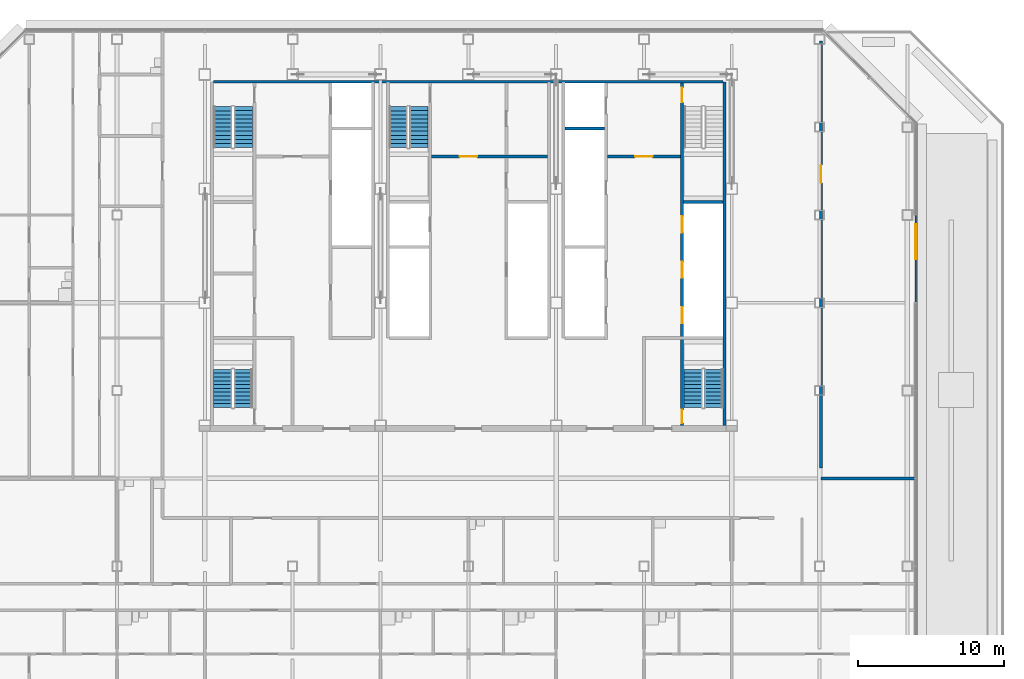
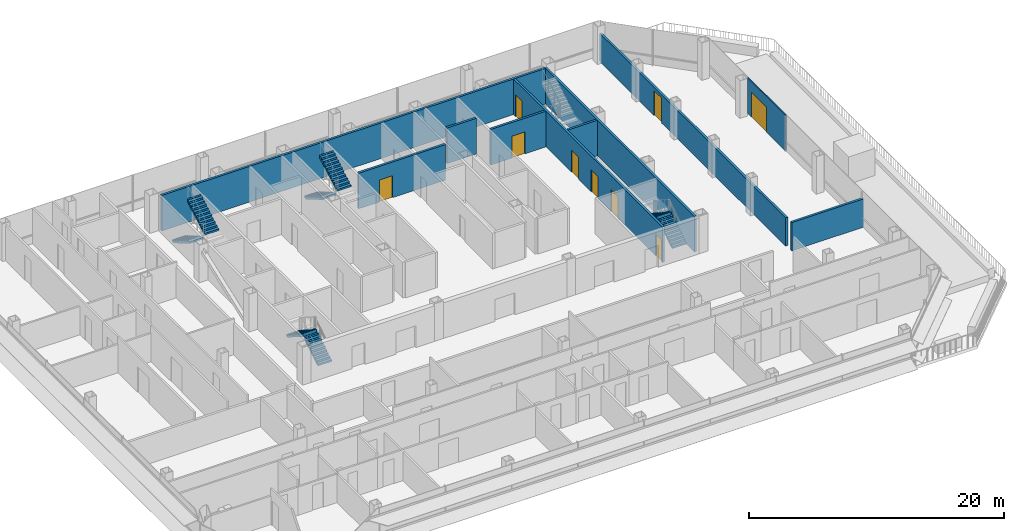
# One storey, part 21 of 27: 10 walls, 9 doors, 8 stair flights, 9 openings, 4 elements without a shape of their own.
"""IFC4 building model written with IfcOpenShell, lengths in metres."""

import ifcopenshell
import ifcopenshell.guid

model = None  # the IFC model being written
_history = None  # IfcOwnerHistory: only IFC2X3 demands one
_inside = {}  # id of a spatial element -> (the spatial element, [elements in it])
_under = {}  # id of a project, library or spatial element -> (it, [spatial elements below it])
_declared = {}  # id of a project -> (the project, [libraries it declares])
_typed = {}  # id of a type object -> (the type object, [elements of that type])
_made_of = {}  # id of a material, layer set ... -> (it, [elements and type objects made of it])


def new_model(schema):
    """Start an empty IFC model of exactly this schema.

    Asked for "IFC4X3", IfcOpenShell would pick the latest addendum, in which some entities
    have other attributes; the version numbers below select the first issue.
    IFC2X3 requires an IfcOwnerHistory on every rooted entity: one is made here for all.
    """
    global model, _history
    if schema == "IFC4X3":
        model = ifcopenshell.file(schema_version=(4, 3, 0, 0))
    else:
        model = ifcopenshell.file(schema=schema)
    _inside.clear()
    _under.clear()
    _declared.clear()
    _typed.clear()
    _made_of.clear()
    _history = None
    if model.schema == "IFC2X3":
        org = make("IfcOrganization", Name="unknown")
        user = make(
            "IfcPersonAndOrganization",
            ThePerson=make("IfcPerson", FamilyName="unknown"),
            TheOrganization=org,
        )
        app = make(
            "IfcApplication",
            ApplicationDeveloper=org,
            Version="unknown",
            ApplicationFullName="unknown",
            ApplicationIdentifier="unknown",
        )
        _history = make(
            "IfcOwnerHistory",
            OwningUser=user,
            OwningApplication=app,
            ChangeAction="ADDED",
            CreationDate=0,
        )
    return model


def make(cls, **values):
    """One entity of the class cls with the attributes given. An attribute that is None is left unset."""
    return model.create_entity(
        cls, **{name: value for name, value in values.items() if value is not None}
    )


def rooted(cls, **values):
    """An entity with a GlobalId (a new one), such as an element, a storey or a relation."""
    return make(cls, GlobalId=ifcopenshell.guid.new(), OwnerHistory=_history, **values)


def si_unit(unit_type, name, prefix=None):
    """IfcSIUnit, for example si_unit("LENGTHUNIT", "METRE", prefix="MILLI")."""
    return make("IfcSIUnit", UnitType=unit_type, Prefix=prefix, Name=name)


def assignment(units):
    """IfcUnitAssignment: the units of a project."""
    return None if units is None else make("IfcUnitAssignment", Units=units)


def point(xyz):
    """IfcCartesianPoint."""
    return None if xyz is None else make("IfcCartesianPoint", Coordinates=xyz)


def direction(xyz):
    """IfcDirection."""
    return None if xyz is None else make("IfcDirection", DirectionRatios=xyz)


def frame(location, z_axis=None, x_axis=None):
    """IfcAxis2Placement3D, a coordinate frame: its origin and axes. An axis left out is left unset."""
    return make(
        "IfcAxis2Placement3D",
        Location=point(location),
        Axis=direction(z_axis),
        RefDirection=direction(x_axis),
    )


def frame_2d(location, x_axis=None):
    """IfcAxis2Placement2D, a coordinate frame in the plane: its origin and x axis."""
    return make(
        "IfcAxis2Placement2D", Location=point(location), RefDirection=direction(x_axis)
    )


def origin():
    """The frame at (0, 0, 0) with its axes left unset."""
    return frame((0.0, 0.0, 0.0))


def place(relative_to, where):
    """IfcLocalPlacement: puts the frame where relative to a parent placement (None: the world)."""
    return make(
        "IfcLocalPlacement", PlacementRelTo=relative_to, RelativePlacement=where
    )


def context(
    kind, dimensions, precision=None, world=None, true_north=None, identifier=None
):
    """IfcGeometricRepresentationContext, for example the 3D "Model" context."""
    return make(
        "IfcGeometricRepresentationContext",
        ContextIdentifier=identifier,
        ContextType=kind,
        CoordinateSpaceDimension=dimensions,
        Precision=precision,
        WorldCoordinateSystem=world,
        TrueNorth=true_north,
    )


def subcontext(parent, identifier, kind, view, scale=None):
    """IfcGeometricRepresentationSubContext, for example "Body" below "Model"."""
    return make(
        "IfcGeometricRepresentationSubContext",
        ContextIdentifier=identifier,
        ContextType=kind,
        ParentContext=parent,
        TargetScale=scale,
        TargetView=view,
    )


def project(units=None, contexts=None):
    """IfcProject with its units and contexts."""
    return rooted(
        "IfcProject",
        Name="project",
        RepresentationContexts=contexts,
        UnitsInContext=assignment(units),
    )


def spatial(cls, under=None, at=None, **own):
    """A site, building, storey or space (cls), placed at a placement, below another one or the project."""
    s = rooted(cls, ObjectPlacement=at, **own)
    if under is not None:
        _under.setdefault(under.id(), (under, []))[1].append(s)
    return s


def polyline(points):
    """IfcPolyline through the points."""
    return make("IfcPolyline", Points=[point(p) for p in points])


def profile(cls, at=None, kind="AREA", **sizes):
    """A parametric profile (cls). Its sizes go by their IFC names, for example OverallWidth=200.0."""
    return make(cls, ProfileType=kind, Position=at, **sizes)


def rectangle(**sizes):
    """IfcRectangleProfileDef."""
    return profile("IfcRectangleProfileDef", **sizes)


def outline(outer, holes=None, kind="AREA"):
    """IfcArbitraryClosedProfileDef: a profile drawn as a closed curve; with holes, ...WithVoids."""
    if holes is None:
        return make("IfcArbitraryClosedProfileDef", ProfileType=kind, OuterCurve=outer)
    return make(
        "IfcArbitraryProfileDefWithVoids",
        ProfileType=kind,
        OuterCurve=outer,
        InnerCurves=holes,
    )


def extrude(swept, where, along, depth):
    """IfcExtrudedAreaSolid: the profile swept, set in the frame where, extruded along a direction by depth."""
    return make(
        "IfcExtrudedAreaSolid",
        SweptArea=swept,
        Position=where,
        ExtrudedDirection=direction(along),
        Depth=depth,
    )


def shape(context_of_items, identifier, shape_type, items):
    """IfcShapeRepresentation: the items that make up one representation, for example the "Body"."""
    return make(
        "IfcShapeRepresentation",
        ContextOfItems=context_of_items,
        RepresentationIdentifier=identifier,
        RepresentationType=shape_type,
        Items=items,
    )


def material(Name=None, Category=None):
    """IfcMaterial."""
    return make("IfcMaterial", Name=Name, Category=Category)


def layer(
    of_material, thickness, ventilated=None, Name=None, Category=None, Priority=None
):
    """IfcMaterialLayer: one layer of a wall or slab, of a material (None: an air gap)."""
    return make(
        "IfcMaterialLayer",
        Material=of_material,
        LayerThickness=thickness,
        IsVentilated=ventilated,
        Name=Name,
        Category=Category,
        Priority=Priority,
    )


def layer_set(layers, Name=None):
    """IfcMaterialLayerSet."""
    return make("IfcMaterialLayerSet", MaterialLayers=layers, LayerSetName=Name)


def made_of(thing, what):
    """Note that an element or type object is made of a material, layer set ...; save() writes the relation."""
    if what is not None:
        _made_of.setdefault(what.id(), (what, []))[1].append(thing)
    return thing


def type_object(cls, material=None, **own):
    """A type object (cls), such as IfcWallType, which elements share."""
    return made_of(rooted(cls, **own), material)


def element(
    cls,
    number,
    at=None,
    inside=None,
    cuts=None,
    type_object=None,
    material=None,
    context=None,
    identifier="Body",
    shape_type=None,
    held_by="IfcProductDefinitionShape",
    body=None,
    shapes=None,
    **own,
):
    """One element of the class cls, such as IfcWall. Its Tag is "e" and its number.

    at: its placement. inside: the storey or other place that contains it. cuts: it is an
    opening in that element (IfcRelVoidsElement). A single representation is given by context,
    identifier, shape_type and body (its items); several are given by shapes. held_by: the class
    of the entity that holds the representations. save() writes the other relations.
    """
    e = rooted(cls, Tag="e%d" % number, ObjectPlacement=at, **own)
    if body is not None:
        shapes = [shape(context, identifier, shape_type, body)]
    if shapes is not None:
        e.Representation = make(held_by, Representations=shapes)
    if inside is not None:
        _inside.setdefault(inside.id(), (inside, []))[1].append(e)
    if cuts is not None:
        rooted(
            "IfcRelVoidsElement", RelatingBuildingElement=cuts, RelatedOpeningElement=e
        )
    if type_object is not None:
        _typed.setdefault(type_object.id(), (type_object, []))[1].append(e)
    return made_of(e, material)


def fill(opening, filler):
    """IfcRelFillsElement: the door or window that sits in an opening."""
    return rooted(
        "IfcRelFillsElement",
        RelatingOpeningElement=opening,
        RelatedBuildingElement=filler,
    )


def aggregate(whole, parts):
    """IfcRelAggregates: a whole, such as a stair, and the parts it consists of."""
    return rooted("IfcRelAggregates", RelatingObject=whole, RelatedObjects=parts)


def save(model, path):
    """Write the relations noted so far, then the file.

    IfcRelAggregates (storeys below a building ...), IfcRelContainedInSpatialStructure (elements
    in a storey), IfcRelDefinesByType, IfcRelAssociatesMaterial and IfcRelDeclares: one each for
    every whole, place, type object, material and project.
    """
    for whole, parts in _under.values():
        aggregate(whole, parts)
    for where, things in _inside.values():
        rooted(
            "IfcRelContainedInSpatialStructure",
            RelatedElements=things,
            RelatingStructure=where,
        )
    for kind, things in _typed.values():
        rooted("IfcRelDefinesByType", RelatedObjects=things, RelatingType=kind)
    for what, things in _made_of.values():
        rooted("IfcRelAssociatesMaterial", RelatedObjects=things, RelatingMaterial=what)
    for by, libraries in _declared.values():
        rooted("IfcRelDeclares", RelatingContext=by, RelatedDefinitions=libraries)
    model.write(path)


model = new_model("IFC4")

# Units and contexts
model_context = context("Model", 3, precision=1e-05, world=origin(), true_north=direction((0.0, 1.0)))
body_context = subcontext(model_context, "Body", "Model", "MODEL_VIEW")
ifc_project = project(units=[si_unit("LENGTHUNIT", "METRE"), si_unit("AREAUNIT", "SQUARE_METRE"), si_unit("VOLUMEUNIT", "CUBIC_METRE"), si_unit("PLANEANGLEUNIT", "RADIAN"), si_unit("MASSUNIT", "GRAM", prefix="KILO")], contexts=[model_context])

# Site, building, storey
site_placement = place(None, origin())
site = spatial("IfcSite", under=ifc_project, at=site_placement, CompositionType="ELEMENT")
building_placement = place(site_placement, origin())
building = spatial("IfcBuilding", under=site, at=building_placement, Name="Sorahane Residences", CompositionType="ELEMENT")
storey_placement = place(building_placement, frame((0.0, 0.0, 192.0)))
storey = spatial("IfcBuildingStorey", under=building, at=storey_placement, Name="L44", CompositionType="ELEMENT", Elevation=192.0)

# Walls
ifc_material_1 = material(Name="Concrete C30", Category="concrete")
ifc_layer_1 = layer(ifc_material_1, 0.199951171875)
ifc_layer_set_1 = layer_set([ifc_layer_1], Name="Core face wall 200 EI 180")
wall_type_1 = type_object("IfcWallType", Name="Core face wall 200 EI 180", PredefinedType="SOLIDWALL", material=ifc_layer_set_1)
wall_1_placement = place(storey_placement, frame((41.5, 21.60009765625, 0.0), z_axis=(0.0, 0.0, 1.0), x_axis=(0.0, 1.0, 0.0)))
element("IfcWall", 1, at=wall_1_placement, inside=storey, type_object=wall_type_1, Name="L44 core face wall", PredefinedType="SOLIDWALL", context=body_context, shape_type="SweptSolid", body=[
    extrude(rectangle(XDim=23.5, YDim=0.199951171875, at=frame_2d((11.75, 0.0))), origin(), (0.0, 0.0, 1.0), 3.419921875),
])
wall_2_placement = place(storey_placement, frame((6.60009765625, 45.10009765625, 0.0), z_axis=(0.0, 0.0, 1.0), x_axis=(1.0, 0.0, 0.0)))
element("IfcWall", 2, at=wall_2_placement, inside=storey, type_object=wall_type_1, Name="L44 core face wall", PredefinedType="SOLIDWALL", context=body_context, shape_type="SweptSolid", body=[
    extrude(rectangle(XDim=34.7998046875, YDim=0.199951171875, at=frame_2d((17.39990234375, 0.0))), origin(), (0.0, 0.0, 1.0), 3.419921875),
])

# Wall, opening, door
ifc_material_2 = material(Name="Concrete blockwork C20 wall", Category="masonry")
ifc_layer_2 = layer(ifc_material_2, 0.199951171875)
ifc_layer_set_2 = layer_set([ifc_layer_2], Name="Corridor wall 200 EI 120")
wall_type_2 = type_object("IfcWallType", Name="Corridor wall 200 EI 120", PredefinedType="SOLIDWALL", material=ifc_layer_set_2)
wall_3_placement = place(storey_placement, frame((48.10009765625, 18.699951171875, 0.0), z_axis=(0.0, 0.0, 1.0), x_axis=(0.0, 1.0, 0.0)))
wall_3 = element("IfcWall", 3, at=wall_3_placement, inside=storey, type_object=wall_type_2, Name="L44 corridor wall", PredefinedType="SOLIDWALL", context=body_context, shape_type="SweptSolid", body=[
    extrude(rectangle(XDim=29.199951171875, YDim=0.199951171875, at=frame_2d((14.60009765625, 0.0))), origin(), (0.0, 0.0, 1.0), 2.719970703125),
])
opening_1_placement = place(wall_3_placement, frame((19.5, 0.0, 0.0)))
opening_1 = element("IfcOpeningElement", 4, at=opening_1_placement, cuts=wall_3, Name="Opening L44-47", PredefinedType="OPENING", context=body_context, shape_type="SweptSolid", body=[
    extrude(rectangle(XDim=1.199951171875, YDim=2.39990234375, at=frame_2d((0.60009765625, 1.199951171875))), frame((0.0, 0.10986328125, 0.0), z_axis=(0.0, -1.0, 0.0), x_axis=(1.0, 0.0, 0.0)), (0.0, 0.0, 1.0), 0.219970703125),
])
ifc_material_3 = material(Name="Steel", Category="steel")
door_type_1 = type_object("IfcDoorType", Name="Lobby door 1200x2400 FD60", OperationType="NOTDEFINED", PredefinedType="DOOR", material=ifc_material_3)
door_1_placement = place(opening_1_placement, frame((1.199951171875, 0.0, 0.0), z_axis=(0.0, 0.0, 1.0), x_axis=(-1.0, 0.0, 0.0)))
door_1 = element("IfcDoor", 5, at=door_1_placement, inside=storey, type_object=door_type_1, Name="Lobby door L44-47", OperationType="SINGLE_SWING_RIGHT", OverallHeight=2.39990234375, OverallWidth=1.199951171875, PredefinedType="DOOR", context=body_context, shape_type="SweptSolid", body=[
    extrude(rectangle(XDim=1.199951171875, YDim=2.39990234375, at=frame_2d((0.60009765625, 1.199951171875))), frame((0.0, 0.02490234375, 0.0), z_axis=(0.0, -1.0, 0.0), x_axis=(1.0, 0.0, 0.0)), (0.0, 0.0, 1.0), 0.050048828125),
])
fill(opening_1, door_1)

# Wall
wall_4_placement = place(storey_placement, frame((48.10009765625, 18.0, 0.0), z_axis=(0.0, 0.0, 1.0), x_axis=(1.0, 0.0, 0.0)))
element("IfcWall", 6, at=wall_4_placement, inside=storey, type_object=wall_type_2, Name="L44 corridor wall", PredefinedType="SOLIDWALL", context=body_context, shape_type="SweptSolid", body=[
    extrude(rectangle(XDim=6.5, YDim=0.199951171875, at=frame_2d((3.25, 0.0))), origin(), (0.0, 0.0, 1.0), 2.719970703125),
])

# Wall, opening, door
ifc_material_4 = material(Name="Concrete C30", Category="concrete")
ifc_layer_3 = layer(ifc_material_4, 0.199951171875)
ifc_layer_set_3 = layer_set([ifc_layer_3], Name="Front room wall 200 EI 120")
wall_type_3 = type_object("IfcWallType", Name="Front room wall 200 EI 120", PredefinedType="PARTITIONING", material=ifc_layer_set_3)
wall_5_placement = place(storey_placement, frame((21.5, 40.0, 0.0), z_axis=(0.0, 0.0, 1.0), x_axis=(1.0, 0.0, 0.0)))
wall_5 = element("IfcWall", 7, at=wall_5_placement, inside=storey, type_object=wall_type_3, Name="L44 front room wall", PredefinedType="PARTITIONING", context=body_context, shape_type="SweptSolid", body=[
    extrude(rectangle(XDim=7.89990234375, YDim=0.199951171875, at=frame_2d((3.949951171875, 0.0))), origin(), (0.0, 0.0, 1.0), 3.419921875),
])
opening_2_placement = place(wall_5_placement, frame((1.89990234375, 0.0, 0.0)))
opening_2 = element("IfcOpeningElement", 8, at=opening_2_placement, cuts=wall_5, Name="Opening L44-C07", PredefinedType="OPENING", context=body_context, shape_type="SweptSolid", body=[
    extrude(rectangle(XDim=1.199951171875, YDim=2.10009765625, at=frame_2d((0.60009765625, 1.050048828125))), frame((0.0, 0.10986328125, 0.0), z_axis=(0.0, -1.0, 0.0), x_axis=(1.0, 0.0, 0.0)), (0.0, 0.0, 1.0), 0.219970703125),
])
ifc_material_5 = material(Name="Steel", Category="steel")
door_type_2 = type_object("IfcDoorType", Name="Front room door 1200x2100 FD120", OperationType="NOTDEFINED", PredefinedType="DOOR", material=ifc_material_5)
door_2_placement = place(opening_2_placement, frame((1.199951171875, 0.0, 0.0), z_axis=(0.0, 0.0, 1.0), x_axis=(-1.0, 0.0, 0.0)))
door_2 = element("IfcDoor", 9, at=door_2_placement, inside=storey, type_object=door_type_2, Name="Front room door Stair S3 vestibule L44", OperationType="DOUBLE_DOOR_SINGLE_SWING", OverallHeight=2.10009765625, OverallWidth=1.199951171875, PredefinedType="DOOR", context=body_context, shape_type="SweptSolid", body=[
    extrude(rectangle(XDim=1.199951171875, YDim=2.10009765625, at=frame_2d((0.60009765625, 1.050048828125))), frame((0.0, 0.02490234375, 0.0), z_axis=(0.0, -1.0, 0.0), x_axis=(1.0, 0.0, 0.0)), (0.0, 0.0, 1.0), 0.050048828125),
])
fill(opening_2, door_2)

wall_6_placement = place(storey_placement, frame((33.5, 40.0, 0.0), z_axis=(0.0, 0.0, 1.0), x_axis=(1.0, 0.0, 0.0)))
wall_6 = element("IfcWall", 10, at=wall_6_placement, inside=storey, type_object=wall_type_3, Name="L44 front room wall", PredefinedType="PARTITIONING", context=body_context, shape_type="SweptSolid", body=[
    extrude(rectangle(XDim=5.0, YDim=0.199951171875, at=frame_2d((2.5, 0.0))), origin(), (0.0, 0.0, 1.0), 3.419921875),
])
opening_3_placement = place(wall_6_placement, frame((1.89990234375, 0.0, 0.0)))
opening_3 = element("IfcOpeningElement", 11, at=opening_3_placement, cuts=wall_6, Name="Opening L44-C08", PredefinedType="OPENING", context=body_context, shape_type="SweptSolid", body=[
    extrude(rectangle(XDim=1.199951171875, YDim=2.10009765625, at=frame_2d((0.60009765625, 1.050048828125))), frame((0.0, 0.10986328125, 0.0), z_axis=(0.0, -1.0, 0.0), x_axis=(1.0, 0.0, 0.0)), (0.0, 0.0, 1.0), 0.219970703125),
])
door_3_placement = place(opening_3_placement, frame((1.199951171875, 0.0, 0.0), z_axis=(0.0, 0.0, 1.0), x_axis=(-1.0, 0.0, 0.0)))
door_3 = element("IfcDoor", 12, at=door_3_placement, inside=storey, type_object=door_type_2, Name="Front room door Firefighting lobby FF2 front room L44", OperationType="DOUBLE_DOOR_SINGLE_SWING", OverallHeight=2.10009765625, OverallWidth=1.199951171875, PredefinedType="DOOR", context=body_context, shape_type="SweptSolid", body=[
    extrude(rectangle(XDim=1.199951171875, YDim=2.10009765625, at=frame_2d((0.60009765625, 1.050048828125))), frame((0.0, 0.02490234375, 0.0), z_axis=(0.0, -1.0, 0.0), x_axis=(1.0, 0.0, 0.0)), (0.0, 0.0, 1.0), 0.050048828125),
])
fill(opening_3, door_3)

ifc_material_6 = material(Name="Toughened low-iron glass", Category="glass")
ifc_layer_4 = layer(ifc_material_6, 0.10009765625)
ifc_layer_set_4 = layer_set([ifc_layer_4], Name="Glazed door screen toughened low-iron glass 100")
wall_type_4 = type_object("IfcWallType", Name="Glazed door screen toughened low-iron glass 100", PredefinedType="SOLIDWALL", material=ifc_layer_set_4)
wall_7_placement = place(storey_placement, frame((54.570068359375, 30.02490234375, 0.0), z_axis=(0.0, 0.0, 1.0), x_axis=(0.0, 1.0, 0.0)))
wall_7 = element("IfcWall", 13, at=wall_7_placement, inside=storey, type_object=wall_type_4, Name="Glazed door screen L44 E1.5", PredefinedType="SOLIDWALL", context=body_context, shape_type="SweptSolid", body=[
    extrude(rectangle(XDim=5.9501953125, YDim=0.10009765625, at=frame_2d((2.97509765625, 0.0))), origin(), (0.0, 0.0, 1.0), 3.419921875),
])
opening_4_placement = place(wall_7_placement, frame((2.951416015625, 0.0, 0.0)))
opening_4 = element("IfcOpeningElement", 14, at=opening_4_placement, cuts=wall_7, Name="Opening L44-F01", PredefinedType="OPENING", context=body_context, shape_type="SweptSolid", body=[
    extrude(rectangle(XDim=2.39990234375, YDim=2.39990234375, at=frame_2d((1.199951171875, 1.199951171875))), frame((0.0, 0.06005859375, 0.0), z_axis=(0.0, -1.0, 0.0), x_axis=(1.0, 0.0, 0.0)), (0.0, 0.0, 1.0), 0.1201171875),
])
ifc_material_7 = material(Name="Black anodised aluminium and low-iron glass", Category="aluminium")
door_type_3 = type_object("IfcDoorType", Name="Glazed terrace door black aluminium 2400x2400", OperationType="DOUBLE_DOOR_SINGLE_SWING", PredefinedType="DOOR", material=ifc_material_7)
door_4_placement = place(opening_4_placement, origin())
door_4 = element("IfcDoor", 15, at=door_4_placement, inside=storey, type_object=door_type_3, Name="Terrace door L44-F01", OperationType="DOUBLE_DOOR_SINGLE_SWING", OverallHeight=2.39990234375, OverallWidth=2.39990234375, PredefinedType="DOOR", context=body_context, shape_type="SweptSolid", body=[
    extrude(rectangle(XDim=2.39990234375, YDim=2.39990234375, at=frame_2d((1.199951171875, 1.199951171875))), frame((0.0, 0.02490234375, 0.0), z_axis=(0.0, -1.0, 0.0), x_axis=(1.0, 0.0, 0.0)), (0.0, 0.0, 1.0), 0.050048828125),
])
fill(opening_4, door_4)

# Wall
ifc_material_8 = material(Name="Concrete C30", Category="concrete")
ifc_layer_5 = layer(ifc_material_8, 0.199951171875)
ifc_layer_set_5 = layer_set([ifc_layer_5], Name="Lift shaft wall 200 EI 120")
wall_type_5 = type_object("IfcWallType", Name="Lift shaft wall 200 EI 120", PredefinedType="SOLIDWALL", material=ifc_layer_set_5)
wall_8_placement = place(storey_placement, frame((30.60009765625, 41.89990234375, 0.0), z_axis=(0.0, 0.0, 1.0), x_axis=(1.0, 0.0, 0.0)))
element("IfcWall", 16, at=wall_8_placement, inside=storey, type_object=wall_type_5, Name="L44 lift shaft wall", PredefinedType="SOLIDWALL", context=body_context, shape_type="SweptSolid", body=[
    extrude(rectangle(XDim=2.699951171875, YDim=0.199951171875, at=frame_2d((1.35009765625, 0.0))), origin(), (0.0, 0.0, 1.0), 3.419921875),
])

# Wall, openings, doors
ifc_material_9 = material(Name="Concrete C30", Category="concrete")
ifc_layer_6 = layer(ifc_material_9, 0.199951171875)
ifc_layer_set_6 = layer_set([ifc_layer_6], Name="Stair enclosure wall 200 EI 120")
wall_type_6 = type_object("IfcWallType", Name="Stair enclosure wall 200 EI 120", PredefinedType="SOLIDWALL", material=ifc_layer_set_6)
wall_9_placement = place(storey_placement, frame((38.60009765625, 21.60009765625, 0.0), z_axis=(0.0, 0.0, 1.0), x_axis=(0.0, 1.0, 0.0)))
wall_9 = element("IfcWall", 17, at=wall_9_placement, inside=storey, type_object=wall_type_6, Name="L44 stair enclosure wall", PredefinedType="SOLIDWALL", context=body_context, shape_type="SweptSolid", body=[
    extrude(rectangle(XDim=23.39990234375, YDim=0.199951171875, at=frame_2d((11.699951171875, 0.0))), origin(), (0.0, 0.0, 1.0), 3.419921875),
])
opening_5_placement = place(wall_9_placement, frame((7.0, 0.0, 0.0)))
opening_5 = element("IfcOpeningElement", 18, at=opening_5_placement, cuts=wall_9, Name="Opening L44-C09", PredefinedType="OPENING", context=body_context, shape_type="SweptSolid", body=[
    extrude(rectangle(XDim=1.10009765625, YDim=2.10009765625, at=frame_2d((0.550048828125, 1.050048828125))), frame((0.0, 0.10986328125, 0.0), z_axis=(0.0, -1.0, 0.0), x_axis=(1.0, 0.0, 0.0)), (0.0, 0.0, 1.0), 0.219970703125),
])
opening_6_placement = place(wall_9_placement, frame((10.10009765625, 0.0, 0.0)))
opening_6 = element("IfcOpeningElement", 19, at=opening_6_placement, cuts=wall_9, Name="Opening L44-C10", PredefinedType="OPENING", context=body_context, shape_type="SweptSolid", body=[
    extrude(rectangle(XDim=1.10009765625, YDim=2.10009765625, at=frame_2d((0.550048828125, 1.050048828125))), frame((0.0, 0.10986328125, 0.0), z_axis=(0.0, -1.0, 0.0), x_axis=(1.0, 0.0, 0.0)), (0.0, 0.0, 1.0), 0.219970703125),
])
opening_7_placement = place(wall_9_placement, frame((13.199951171875, 0.0, 0.0)))
opening_7 = element("IfcOpeningElement", 20, at=opening_7_placement, cuts=wall_9, Name="Opening L44-C11", PredefinedType="OPENING", context=body_context, shape_type="SweptSolid", body=[
    extrude(rectangle(XDim=1.10009765625, YDim=2.10009765625, at=frame_2d((0.550048828125, 1.050048828125))), frame((0.0, 0.10986328125, 0.0), z_axis=(0.0, -1.0, 0.0), x_axis=(1.0, 0.0, 0.0)), (0.0, 0.0, 1.0), 0.219970703125),
])
opening_8_placement = place(wall_9_placement, frame((22.10009765625, 0.0, 0.0)))
opening_8 = element("IfcOpeningElement", 21, at=opening_8_placement, cuts=wall_9, Name="Opening L44-C20", PredefinedType="OPENING", context=body_context, shape_type="SweptSolid", body=[
    extrude(rectangle(XDim=1.0, YDim=2.10009765625, at=frame_2d((0.5, 1.050048828125))), frame((0.0, 0.10986328125, 0.0), z_axis=(0.0, -1.0, 0.0), x_axis=(1.0, 0.0, 0.0)), (0.0, 0.0, 1.0), 0.219970703125),
])
opening_9_placement = place(wall_9_placement, frame((0.175048828125, 0.0, 0.0)))
opening_9 = element("IfcOpeningElement", 22, at=opening_9_placement, cuts=wall_9, Name="Opening L44-C23", PredefinedType="OPENING", context=body_context, shape_type="SweptSolid", body=[
    extrude(rectangle(XDim=0.89990234375, YDim=2.10009765625, at=frame_2d((0.449951171875, 1.050048828125))), frame((0.0, 0.10986328125, 0.0), z_axis=(0.0, -1.0, 0.0), x_axis=(1.0, 0.0, 0.0)), (0.0, 0.0, 1.0), 0.219970703125),
])
ifc_material_10 = material(Name="Aluminium and stainless steel", Category="steel")
door_type_4 = type_object("IfcDoorType", Name="Lift landing door 1100x2100 E 60", OperationType="NOTDEFINED", PredefinedType="DOOR", material=ifc_material_10)
door_5_placement = place(opening_5_placement, origin())
door_5 = element("IfcDoor", 23, at=door_5_placement, inside=storey, type_object=door_type_4, Name="Lift landing door HR1 L44", OperationType="DOUBLE_DOOR_SLIDING", OverallHeight=2.10009765625, OverallWidth=1.10009765625, PredefinedType="DOOR", context=body_context, shape_type="SweptSolid", body=[
    extrude(rectangle(XDim=1.10009765625, YDim=2.10009765625, at=frame_2d((0.550048828125, 1.050048828125))), frame((0.0, 0.02490234375, 0.0), z_axis=(0.0, -1.0, 0.0), x_axis=(1.0, 0.0, 0.0)), (0.0, 0.0, 1.0), 0.050048828125),
])
fill(opening_5, door_5)
door_6_placement = place(opening_6_placement, origin())
door_6 = element("IfcDoor", 24, at=door_6_placement, inside=storey, type_object=door_type_4, Name="Lift landing door HR2 L44", OperationType="DOUBLE_DOOR_SLIDING", OverallHeight=2.10009765625, OverallWidth=1.10009765625, PredefinedType="DOOR", context=body_context, shape_type="SweptSolid", body=[
    extrude(rectangle(XDim=1.10009765625, YDim=2.10009765625, at=frame_2d((0.550048828125, 1.050048828125))), frame((0.0, 0.02490234375, 0.0), z_axis=(0.0, -1.0, 0.0), x_axis=(1.0, 0.0, 0.0)), (0.0, 0.0, 1.0), 0.050048828125),
])
fill(opening_6, door_6)
door_7_placement = place(opening_7_placement, origin())
door_7 = element("IfcDoor", 25, at=door_7_placement, inside=storey, type_object=door_type_4, Name="Lift landing door HR3 L44", OperationType="DOUBLE_DOOR_SLIDING", OverallHeight=2.10009765625, OverallWidth=1.10009765625, PredefinedType="DOOR", context=body_context, shape_type="SweptSolid", body=[
    extrude(rectangle(XDim=1.10009765625, YDim=2.10009765625, at=frame_2d((0.550048828125, 1.050048828125))), frame((0.0, 0.02490234375, 0.0), z_axis=(0.0, -1.0, 0.0), x_axis=(1.0, 0.0, 0.0)), (0.0, 0.0, 1.0), 0.050048828125),
])
fill(opening_7, door_7)
ifc_material_11 = material(Name="Steel", Category="steel")
door_type_5 = type_object("IfcDoorType", Name="Stair door 1000x2100 FD120", OperationType="NOTDEFINED", PredefinedType="DOOR", material=ifc_material_11)
door_8_placement = place(opening_8_placement, frame((1.0, 0.0, 0.0), z_axis=(0.0, 0.0, 1.0), x_axis=(-1.0, 0.0, 0.0)))
door_8 = element("IfcDoor", 26, at=door_8_placement, inside=storey, type_object=door_type_5, Name="Stair door S2 L44", OperationType="SINGLE_SWING_LEFT", OverallHeight=2.10009765625, OverallWidth=1.0, PredefinedType="DOOR", context=body_context, shape_type="SweptSolid", body=[
    extrude(rectangle(XDim=1.0, YDim=2.10009765625, at=frame_2d((0.5, 1.050048828125))), frame((0.0, 0.02490234375, 0.0), z_axis=(0.0, -1.0, 0.0), x_axis=(1.0, 0.0, 0.0)), (0.0, 0.0, 1.0), 0.050048828125),
])
fill(opening_8, door_8)
ifc_material_12 = material(Name="Steel", Category="steel")
door_type_6 = type_object("IfcDoorType", Name="Stair door 900x2100 FD120", OperationType="NOTDEFINED", PredefinedType="DOOR", material=ifc_material_12)
door_9_placement = place(opening_9_placement, frame((0.89990234375, 0.0, 0.0), z_axis=(0.0, 0.0, 1.0), x_axis=(-1.0, 0.0, 0.0)))
door_9 = element("IfcDoor", 27, at=door_9_placement, inside=storey, type_object=door_type_6, Name="Stair door S5 L44", OperationType="SINGLE_SWING_LEFT", OverallHeight=2.10009765625, OverallWidth=0.89990234375, PredefinedType="DOOR", context=body_context, shape_type="SweptSolid", body=[
    extrude(rectangle(XDim=0.89990234375, YDim=2.10009765625, at=frame_2d((0.449951171875, 1.050048828125))), frame((0.0, 0.02490234375, 0.0), z_axis=(0.0, -1.0, 0.0), x_axis=(1.0, 0.0, 0.0)), (0.0, 0.0, 1.0), 0.050048828125),
])
fill(opening_9, door_9)

# Wall
wall_10_placement = place(storey_placement, frame((38.699951171875, 36.89990234375, 0.0), z_axis=(0.0, 0.0, 1.0), x_axis=(1.0, 0.0, 0.0)))
element("IfcWall", 28, at=wall_10_placement, inside=storey, type_object=wall_type_6, Name="L44 stair enclosure wall", PredefinedType="SOLIDWALL", context=body_context, shape_type="SweptSolid", body=[
    extrude(rectangle(XDim=2.699951171875, YDim=0.199951171875, at=frame_2d((1.35009765625, 0.0))), origin(), (0.0, 0.0, 1.0), 3.419921875),
])

# Stair, stair flights
ifc_material_13 = material(Name="Concrete C40", Category="concrete")
stair_type = type_object("IfcStairType", Name="Dog-leg stair 1250 Concrete C40", PredefinedType="HALF_TURN_STAIR", material=ifc_material_13)
stair_1_placement = place(storey_placement, origin())
stair_1 = element("IfcStair", 29, at=stair_1_placement, inside=storey, type_object=stair_type, Name="L44 Stair S1", PredefinedType="HALF_TURN_STAIR")
ifc_material_14 = material(Name="Concrete C40", Category="concrete")
stair_flight_type = type_object("IfcStairFlightType", Name="Stair flight 1250 Concrete C40", PredefinedType="STRAIGHT", material=ifc_material_14)
stair_flight_1_placement = place(storey_placement, frame((7.22509765625, 43.39990234375, 0.0), z_axis=(0.0, 0.0, 1.0), x_axis=(0.0, -1.0, 0.0)))
stair_flight_1 = element("IfcStairFlight", 30, at=stair_flight_1_placement, type_object=stair_flight_type, Name="S1 flight 1", NumberOfRisers=11, NumberOfTreads=10, PredefinedType="STRAIGHT", RiserHeight=0.163636364, TreadLength=0.28, context=body_context, shape_type="SweptSolid", body=[
    extrude(outline(polyline([(-0.00146484375, 0.0), (-0.00146484375, 0.16357421875), (0.0, 0.16357421875), (0.280029296875, 0.16357421875), (0.280029296875, 0.327392578125), (0.56005859375, 0.327392578125), (0.56005859375, 0.490966796875), (0.840087890625, 0.490966796875), (0.840087890625, 0.654541015625), (1.1201171875, 0.654541015625), (1.1201171875, 0.818115234375), (1.39990234375, 0.818115234375), (1.39990234375, 0.98193359375), (1.679931640625, 0.98193359375), (1.679931640625, 1.1455078125), (1.9599609375, 1.1455078125), (1.9599609375, 1.30908203125), (2.239990234375, 1.30908203125), (2.239990234375, 1.47265625), (2.52001953125, 1.47265625), (2.52001953125, 1.636474609375), (2.800048828125, 1.636474609375), (2.800048828125, 1.800048828125), (2.800048828125, 1.462646484375), (2.59130859375, 1.3408203125), (2.3828125, 1.218994140625), (2.17431640625, 1.09716796875), (1.965576171875, 0.97509765625), (1.757080078125, 0.853271484375), (1.548583984375, 0.7314453125), (1.340087890625, 0.609375), (1.13134765625, 0.487548828125), (0.9228515625, 0.36572265625), (0.71435546875, 0.243896484375), (0.505615234375, 0.121826171875), (0.297119140625, 0.0), (-0.00146484375, 0.0)])), frame((0.0, 0.625, 0.0), z_axis=(0.0, -1.0, 0.0), x_axis=(1.0, 0.0, 0.0)), (0.0, 0.0, 1.0), 1.25),
])
stair_flight_2_placement = place(storey_placement, frame((8.625, 40.60009765625, 1.800048828125), z_axis=(0.0, 0.0, 1.0), x_axis=(0.0, 1.0, 0.0)))
stair_flight_2 = element("IfcStairFlight", 31, at=stair_flight_2_placement, type_object=stair_flight_type, Name="S1 flight 2", NumberOfRisers=11, NumberOfTreads=10, PredefinedType="STRAIGHT", RiserHeight=0.163636364, TreadLength=0.28, context=body_context, shape_type="SweptSolid", body=[
    extrude(outline(polyline([(0.0, 0.0), (0.0, 0.16357421875), (0.280029296875, 0.16357421875), (0.280029296875, 0.327392578125), (0.56005859375, 0.327392578125), (0.56005859375, 0.490966796875), (0.840087890625, 0.490966796875), (0.840087890625, 0.654541015625), (1.1201171875, 0.654541015625), (1.1201171875, 0.818115234375), (1.39990234375, 0.818115234375), (1.39990234375, 0.98193359375), (1.679931640625, 0.98193359375), (1.679931640625, 1.1455078125), (1.9599609375, 1.1455078125), (1.9599609375, 1.30908203125), (2.239990234375, 1.30908203125), (2.239990234375, 1.47265625), (2.52001953125, 1.47265625), (2.52001953125, 1.636474609375), (2.800048828125, 1.636474609375), (2.800048828125, 1.800048828125), (2.801513671875, 1.800048828125), (2.801513671875, 1.462646484375), (2.5927734375, 1.3408203125), (2.384033203125, 1.218994140625), (2.17529296875, 1.09716796875), (1.966796875, 0.97509765625), (1.758056640625, 0.853271484375), (1.54931640625, 0.7314453125), (1.340576171875, 0.609375), (1.1318359375, 0.487548828125), (0.923095703125, 0.36572265625), (0.714599609375, 0.243896484375), (0.505859375, 0.121826171875), (0.297119140625, 0.0), (0.0, 0.0)])), frame((0.0, 0.625, 0.0), z_axis=(0.0, -1.0, 0.0), x_axis=(1.0, 0.0, 0.0)), (0.0, 0.0, 1.0), 1.25),
])
aggregate(stair_1, [stair_flight_1, stair_flight_2])

stair_2_placement = place(storey_placement, origin())
stair_2 = element("IfcStair", 32, at=stair_2_placement, inside=storey, type_object=stair_type, Name="L44 Stair S3", PredefinedType="HALF_TURN_STAIR")
stair_flight_3_placement = place(storey_placement, frame((19.22509765625, 43.39990234375, 0.0), z_axis=(0.0, 0.0, 1.0), x_axis=(0.0, -1.0, 0.0)))
stair_flight_3 = element("IfcStairFlight", 33, at=stair_flight_3_placement, type_object=stair_flight_type, Name="S3 flight 1", NumberOfRisers=11, NumberOfTreads=10, PredefinedType="STRAIGHT", RiserHeight=0.163636364, TreadLength=0.28, context=body_context, shape_type="SweptSolid", body=[
    extrude(outline(polyline([(-0.00146484375, 0.0), (-0.00146484375, 0.16357421875), (0.0, 0.16357421875), (0.280029296875, 0.16357421875), (0.280029296875, 0.327392578125), (0.56005859375, 0.327392578125), (0.56005859375, 0.490966796875), (0.840087890625, 0.490966796875), (0.840087890625, 0.654541015625), (1.1201171875, 0.654541015625), (1.1201171875, 0.818115234375), (1.39990234375, 0.818115234375), (1.39990234375, 0.98193359375), (1.679931640625, 0.98193359375), (1.679931640625, 1.1455078125), (1.9599609375, 1.1455078125), (1.9599609375, 1.30908203125), (2.239990234375, 1.30908203125), (2.239990234375, 1.47265625), (2.52001953125, 1.47265625), (2.52001953125, 1.636474609375), (2.800048828125, 1.636474609375), (2.800048828125, 1.800048828125), (2.800048828125, 1.462646484375), (2.59130859375, 1.3408203125), (2.3828125, 1.218994140625), (2.17431640625, 1.09716796875), (1.965576171875, 0.97509765625), (1.757080078125, 0.853271484375), (1.548583984375, 0.7314453125), (1.340087890625, 0.609375), (1.13134765625, 0.487548828125), (0.9228515625, 0.36572265625), (0.71435546875, 0.243896484375), (0.505615234375, 0.121826171875), (0.297119140625, 0.0), (-0.00146484375, 0.0)])), frame((0.0, 0.625, 0.0), z_axis=(0.0, -1.0, 0.0), x_axis=(1.0, 0.0, 0.0)), (0.0, 0.0, 1.0), 1.25),
])
stair_flight_4_placement = place(storey_placement, frame((20.625, 40.60009765625, 1.800048828125), z_axis=(0.0, 0.0, 1.0), x_axis=(0.0, 1.0, 0.0)))
stair_flight_4 = element("IfcStairFlight", 34, at=stair_flight_4_placement, type_object=stair_flight_type, Name="S3 flight 2", NumberOfRisers=11, NumberOfTreads=10, PredefinedType="STRAIGHT", RiserHeight=0.163636364, TreadLength=0.28, context=body_context, shape_type="SweptSolid", body=[
    extrude(outline(polyline([(0.0, 0.0), (0.0, 0.16357421875), (0.280029296875, 0.16357421875), (0.280029296875, 0.327392578125), (0.56005859375, 0.327392578125), (0.56005859375, 0.490966796875), (0.840087890625, 0.490966796875), (0.840087890625, 0.654541015625), (1.1201171875, 0.654541015625), (1.1201171875, 0.818115234375), (1.39990234375, 0.818115234375), (1.39990234375, 0.98193359375), (1.679931640625, 0.98193359375), (1.679931640625, 1.1455078125), (1.9599609375, 1.1455078125), (1.9599609375, 1.30908203125), (2.239990234375, 1.30908203125), (2.239990234375, 1.47265625), (2.52001953125, 1.47265625), (2.52001953125, 1.636474609375), (2.800048828125, 1.636474609375), (2.800048828125, 1.800048828125), (2.801513671875, 1.800048828125), (2.801513671875, 1.462646484375), (2.5927734375, 1.3408203125), (2.384033203125, 1.218994140625), (2.17529296875, 1.09716796875), (1.966796875, 0.97509765625), (1.758056640625, 0.853271484375), (1.54931640625, 0.7314453125), (1.340576171875, 0.609375), (1.1318359375, 0.487548828125), (0.923095703125, 0.36572265625), (0.714599609375, 0.243896484375), (0.505859375, 0.121826171875), (0.297119140625, 0.0), (0.0, 0.0)])), frame((0.0, 0.625, 0.0), z_axis=(0.0, -1.0, 0.0), x_axis=(1.0, 0.0, 0.0)), (0.0, 0.0, 1.0), 1.25),
])
aggregate(stair_2, [stair_flight_3, stair_flight_4])

stair_3_placement = place(storey_placement, origin())
stair_3 = element("IfcStair", 35, at=stair_3_placement, inside=storey, type_object=stair_type, Name="L44 Stair S4", PredefinedType="HALF_TURN_STAIR")
stair_flight_5_placement = place(storey_placement, frame((8.625, 22.85009765625, 0.0), z_axis=(0.0, 0.0, 1.0), x_axis=(0.0, 1.0, 0.0)))
stair_flight_5 = element("IfcStairFlight", 36, at=stair_flight_5_placement, type_object=stair_flight_type, Name="S4 flight 1", NumberOfRisers=11, NumberOfTreads=10, PredefinedType="STRAIGHT", RiserHeight=0.163636364, TreadLength=0.26, context=body_context, shape_type="SweptSolid", body=[
    extrude(outline(polyline([(-0.00146484375, 0.0), (-0.00146484375, 0.16357421875), (0.0, 0.16357421875), (0.260009765625, 0.16357421875), (0.260009765625, 0.327392578125), (0.52001953125, 0.327392578125), (0.52001953125, 0.490966796875), (0.780029296875, 0.490966796875), (0.780029296875, 0.654541015625), (1.0400390625, 0.654541015625), (1.0400390625, 0.818115234375), (1.300048828125, 0.818115234375), (1.300048828125, 0.98193359375), (1.56005859375, 0.98193359375), (1.56005859375, 1.1455078125), (1.820068359375, 1.1455078125), (1.820068359375, 1.30908203125), (2.080078125, 1.30908203125), (2.080078125, 1.47265625), (2.340087890625, 1.47265625), (2.340087890625, 1.636474609375), (2.60009765625, 1.636474609375), (2.60009765625, 1.800048828125), (2.60009765625, 1.494384765625), (2.402099609375, 1.369873046875), (2.204345703125, 1.245361328125), (2.00634765625, 1.120849609375), (1.80859375, 0.996337890625), (1.610595703125, 0.871826171875), (1.412841796875, 0.747314453125), (1.21484375, 0.622802734375), (1.01708984375, 0.498046875), (0.819091796875, 0.37353515625), (0.621337890625, 0.2490234375), (0.42333984375, 0.12451171875), (0.2255859375, 0.0), (-0.00146484375, 0.0)])), frame((0.0, 0.625, 0.0), z_axis=(0.0, -1.0, 0.0), x_axis=(1.0, 0.0, 0.0)), (0.0, 0.0, 1.0), 1.25),
])
stair_flight_6_placement = place(storey_placement, frame((7.22509765625, 25.449951171875, 1.800048828125), z_axis=(0.0, 0.0, 1.0), x_axis=(0.0, -1.0, 0.0)))
stair_flight_6 = element("IfcStairFlight", 37, at=stair_flight_6_placement, type_object=stair_flight_type, Name="S4 flight 2", NumberOfRisers=11, NumberOfTreads=10, PredefinedType="STRAIGHT", RiserHeight=0.163636364, TreadLength=0.26, context=body_context, shape_type="SweptSolid", body=[
    extrude(outline(polyline([(0.0, 0.0), (0.0, 0.16357421875), (0.260009765625, 0.16357421875), (0.260009765625, 0.327392578125), (0.52001953125, 0.327392578125), (0.52001953125, 0.490966796875), (0.780029296875, 0.490966796875), (0.780029296875, 0.654541015625), (1.0400390625, 0.654541015625), (1.0400390625, 0.818115234375), (1.300048828125, 0.818115234375), (1.300048828125, 0.98193359375), (1.56005859375, 0.98193359375), (1.56005859375, 1.1455078125), (1.820068359375, 1.1455078125), (1.820068359375, 1.30908203125), (2.080078125, 1.30908203125), (2.080078125, 1.47265625), (2.340087890625, 1.47265625), (2.340087890625, 1.636474609375), (2.60009765625, 1.636474609375), (2.60009765625, 1.800048828125), (2.6015625, 1.800048828125), (2.6015625, 1.494384765625), (2.403564453125, 1.369873046875), (2.20556640625, 1.245361328125), (2.007568359375, 1.120849609375), (1.8095703125, 0.996337890625), (1.611572265625, 0.871826171875), (1.41357421875, 0.747314453125), (1.215576171875, 0.622802734375), (1.017578125, 0.498046875), (0.819580078125, 0.37353515625), (0.62158203125, 0.2490234375), (0.423583984375, 0.12451171875), (0.2255859375, 0.0), (0.0, 0.0)])), frame((0.0, 0.625, 0.0), z_axis=(0.0, -1.0, 0.0), x_axis=(1.0, 0.0, 0.0)), (0.0, 0.0, 1.0), 1.25),
])
aggregate(stair_3, [stair_flight_5, stair_flight_6])

stair_4_placement = place(storey_placement, origin())
stair_4 = element("IfcStair", 38, at=stair_4_placement, inside=storey, type_object=stair_type, Name="L44 Stair S5", PredefinedType="HALF_TURN_STAIR")
stair_flight_7_placement = place(storey_placement, frame((40.77490234375, 22.85009765625, 0.0), z_axis=(0.0, 0.0, 1.0), x_axis=(0.0, 1.0, 0.0)))
stair_flight_7 = element("IfcStairFlight", 39, at=stair_flight_7_placement, type_object=stair_flight_type, Name="S5 flight 1", NumberOfRisers=11, NumberOfTreads=10, PredefinedType="STRAIGHT", RiserHeight=0.163636364, TreadLength=0.26, context=body_context, shape_type="SweptSolid", body=[
    extrude(outline(polyline([(-0.00146484375, 0.0), (-0.00146484375, 0.16357421875), (0.0, 0.16357421875), (0.260009765625, 0.16357421875), (0.260009765625, 0.327392578125), (0.52001953125, 0.327392578125), (0.52001953125, 0.490966796875), (0.780029296875, 0.490966796875), (0.780029296875, 0.654541015625), (1.0400390625, 0.654541015625), (1.0400390625, 0.818115234375), (1.300048828125, 0.818115234375), (1.300048828125, 0.98193359375), (1.56005859375, 0.98193359375), (1.56005859375, 1.1455078125), (1.820068359375, 1.1455078125), (1.820068359375, 1.30908203125), (2.080078125, 1.30908203125), (2.080078125, 1.47265625), (2.340087890625, 1.47265625), (2.340087890625, 1.636474609375), (2.60009765625, 1.636474609375), (2.60009765625, 1.800048828125), (2.60009765625, 1.494384765625), (2.402099609375, 1.369873046875), (2.204345703125, 1.245361328125), (2.00634765625, 1.120849609375), (1.80859375, 0.996337890625), (1.610595703125, 0.871826171875), (1.412841796875, 0.747314453125), (1.21484375, 0.622802734375), (1.01708984375, 0.498046875), (0.819091796875, 0.37353515625), (0.621337890625, 0.2490234375), (0.42333984375, 0.12451171875), (0.2255859375, 0.0), (-0.00146484375, 0.0)])), frame((0.0, 0.625, 0.0), z_axis=(0.0, -1.0, 0.0), x_axis=(1.0, 0.0, 0.0)), (0.0, 0.0, 1.0), 1.25),
])
stair_flight_8_placement = place(storey_placement, frame((39.375, 25.449951171875, 1.800048828125), z_axis=(0.0, 0.0, 1.0), x_axis=(0.0, -1.0, 0.0)))
stair_flight_8 = element("IfcStairFlight", 40, at=stair_flight_8_placement, type_object=stair_flight_type, Name="S5 flight 2", NumberOfRisers=11, NumberOfTreads=10, PredefinedType="STRAIGHT", RiserHeight=0.163636364, TreadLength=0.26, context=body_context, shape_type="SweptSolid", body=[
    extrude(outline(polyline([(0.0, 0.0), (0.0, 0.16357421875), (0.260009765625, 0.16357421875), (0.260009765625, 0.327392578125), (0.52001953125, 0.327392578125), (0.52001953125, 0.490966796875), (0.780029296875, 0.490966796875), (0.780029296875, 0.654541015625), (1.0400390625, 0.654541015625), (1.0400390625, 0.818115234375), (1.300048828125, 0.818115234375), (1.300048828125, 0.98193359375), (1.56005859375, 0.98193359375), (1.56005859375, 1.1455078125), (1.820068359375, 1.1455078125), (1.820068359375, 1.30908203125), (2.080078125, 1.30908203125), (2.080078125, 1.47265625), (2.340087890625, 1.47265625), (2.340087890625, 1.636474609375), (2.60009765625, 1.636474609375), (2.60009765625, 1.800048828125), (2.6015625, 1.800048828125), (2.6015625, 1.494384765625), (2.403564453125, 1.369873046875), (2.20556640625, 1.245361328125), (2.007568359375, 1.120849609375), (1.8095703125, 0.996337890625), (1.611572265625, 0.871826171875), (1.41357421875, 0.747314453125), (1.215576171875, 0.622802734375), (1.017578125, 0.498046875), (0.819580078125, 0.37353515625), (0.62158203125, 0.2490234375), (0.423583984375, 0.12451171875), (0.2255859375, 0.0), (0.0, 0.0)])), frame((0.0, 0.625, 0.0), z_axis=(0.0, -1.0, 0.0), x_axis=(1.0, 0.0, 0.0)), (0.0, 0.0, 1.0), 1.25),
])
aggregate(stair_4, [stair_flight_7, stair_flight_8])

save(model, "model.ifc")
